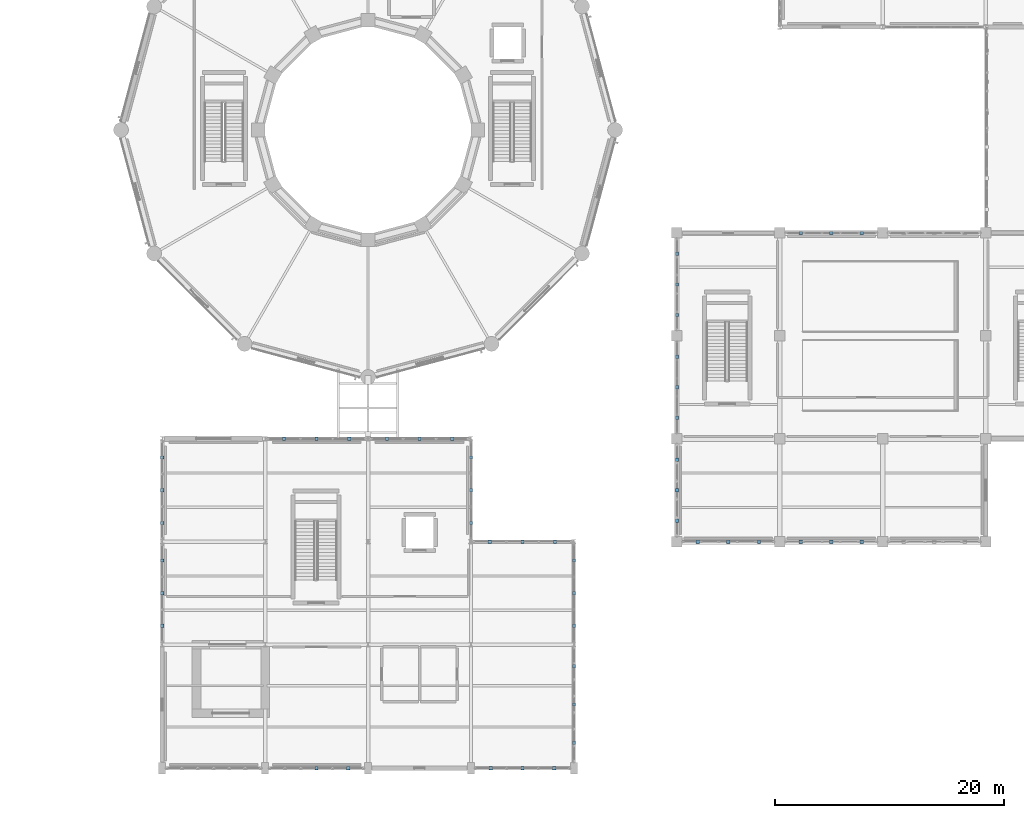
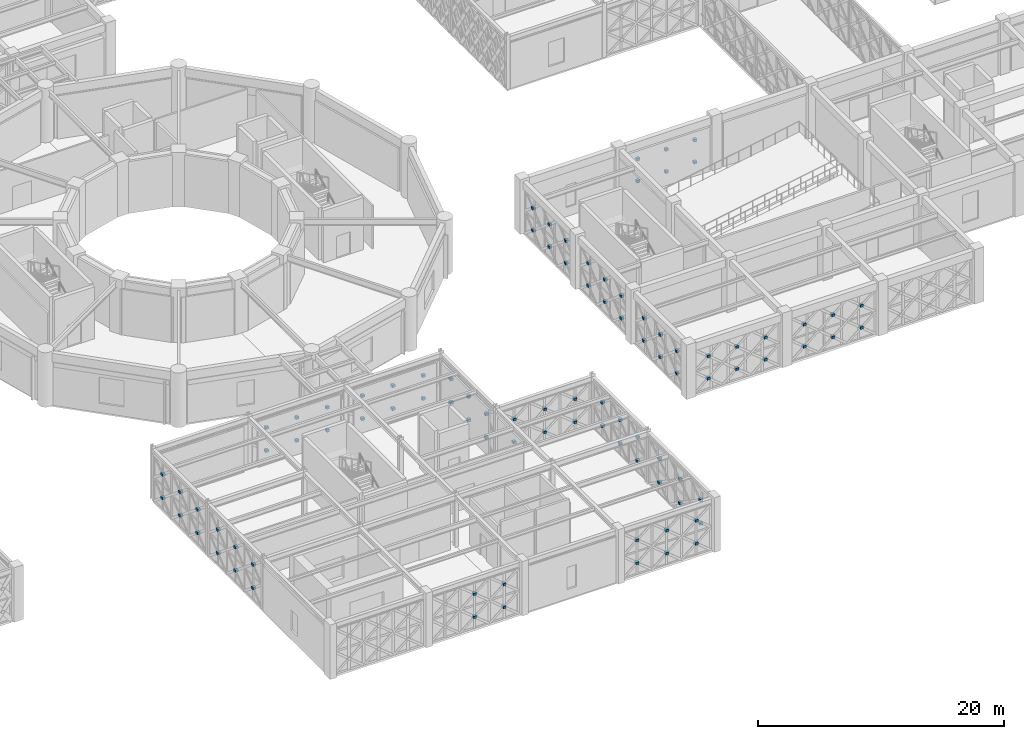
# One storey, part 150 of 166: 94 discrete accessories.
"""IFC4 building model written with IfcOpenShell, lengths in metres."""

from ifc_helpers import new_model, si_unit, direction, frame, origin, origin_2d, place, context, subcontext, project, spatial, rectangle, extrude, material, type_object, element, save


model = new_model("IFC4")

# Units and contexts
model_context = context("Model", 3, precision=1e-05, world=origin(), true_north=direction((0.0, 1.0)))
body_context = subcontext(model_context, "Body", "Model", "MODEL_VIEW")
ifc_project = project(units=[si_unit("LENGTHUNIT", "METRE"), si_unit("AREAUNIT", "SQUARE_METRE"), si_unit("VOLUMEUNIT", "CUBIC_METRE"), si_unit("PLANEANGLEUNIT", "RADIAN"), si_unit("MASSUNIT", "GRAM", prefix="KILO")], contexts=[model_context])

# Site, building, storey
site_placement = place(None, origin())
site = spatial("IfcSite", under=ifc_project, at=site_placement, CompositionType="ELEMENT")
building_placement = place(site_placement, origin())
building = spatial("IfcBuilding", under=site, at=building_placement, Name="Haizhuo Lancet Aquarium", CompositionType="ELEMENT")
storey_placement = place(building_placement, frame((0.0, 0.0, 5.39990234375)))
storey = spatial("IfcBuildingStorey", under=building, at=storey_placement, Name="L01", CompositionType="ELEMENT", Elevation=5.39990234375)

# Discrete accessories
ifc_material = material(Name="Steel S355", Category="steel")
discrete_accessory_type = type_object("IfcDiscreteAccessoryType", Name="ACC-END-CAP", PredefinedType="BRACKET", material=ifc_material)
for number, where, z_axis, x_axis, name in (
    (1, (37.830078125, -9.0, 0.97802734375), (0.0, 0.0, 1.0), (1.0, 0.0, 0.0), "L01 X-brace crossing gusset plate XN-CW-V3-L01-038-LB01B1"),
    (2, (37.830078125, -9.0, 3.171875), (0.0, 0.0, 1.0), (1.0, 0.0, 0.0), "L01 X-brace crossing gusset plate XN-CW-V3-L01-038-LB02B1"),
    (3, (40.5, -9.0, 0.97802734375), (0.0, 0.0, 1.0), (1.0, 0.0, 0.0), "L01 X-brace crossing gusset plate XN-CW-V3-L01-038-LB03B1"),
    (4, (40.5, -9.0, 3.171875), (0.0, 0.0, 1.0), (1.0, 0.0, 0.0), "L01 X-brace crossing gusset plate XN-CW-V3-L01-038-LB04B1"),
    (5, (43.169921875, -9.0, 0.97802734375), (0.0, 0.0, 1.0), (1.0, 0.0, 0.0), "L01 X-brace crossing gusset plate XN-CW-V3-L01-038-LB05B1"),
    (6, (43.169921875, -9.0, 3.171875), (0.0, 0.0, 1.0), (1.0, 0.0, 0.0), "L01 X-brace crossing gusset plate XN-CW-V3-L01-038-LB06B1"),
    (7, (43.169921875, -36.0, 0.97802734375), (0.0, 0.0, 1.0), (1.0, 0.0, 0.0), "L01 X-brace crossing gusset plate XN-CW-V3-L01-046-LB01B1"),
    (8, (43.169921875, -36.0, 3.171875), (0.0, 0.0, 1.0), (1.0, 0.0, 0.0), "L01 X-brace crossing gusset plate XN-CW-V3-L01-046-LB02B1"),
    (9, (40.5, -36.0, 0.97802734375), (0.0, 0.0, 1.0), (1.0, 0.0, 0.0), "L01 X-brace crossing gusset plate XN-CW-V3-L01-046-LB03B1"),
    (10, (40.5, -36.0, 3.171875), (0.0, 0.0, 1.0), (1.0, 0.0, 0.0), "L01 X-brace crossing gusset plate XN-CW-V3-L01-046-LB04B1"),
    (11, (37.830078125, -36.0, 0.97802734375), (0.0, 0.0, 1.0), (1.0, 0.0, 0.0), "L01 X-brace crossing gusset plate XN-CW-V3-L01-046-LB05B1"),
    (12, (37.830078125, -36.0, 3.171875), (0.0, 0.0, 1.0), (1.0, 0.0, 0.0), "L01 X-brace crossing gusset plate XN-CW-V3-L01-046-LB06B1"),
    (13, (34.169921875, -36.0, 0.97802734375), (0.0, 0.0, 1.0), (1.0, 0.0, 0.0), "L01 X-brace crossing gusset plate XN-CW-V3-L01-047-LB01B1"),
    (14, (34.169921875, -36.0, 3.171875), (0.0, 0.0, 1.0), (1.0, 0.0, 0.0), "L01 X-brace crossing gusset plate XN-CW-V3-L01-047-LB02B1"),
    (15, (31.5, -36.0, 0.97802734375), (0.0, 0.0, 1.0), (1.0, 0.0, 0.0), "L01 X-brace crossing gusset plate XN-CW-V3-L01-047-LB03B1"),
    (16, (31.5, -36.0, 3.171875), (0.0, 0.0, 1.0), (1.0, 0.0, 0.0), "L01 X-brace crossing gusset plate XN-CW-V3-L01-047-LB04B1"),
    (17, (28.830078125, -36.0, 0.97802734375), (0.0, 0.0, 1.0), (1.0, 0.0, 0.0), "L01 X-brace crossing gusset plate XN-CW-V3-L01-047-LB05B1"),
    (18, (28.830078125, -36.0, 3.171875), (0.0, 0.0, 1.0), (1.0, 0.0, 0.0), "L01 X-brace crossing gusset plate XN-CW-V3-L01-047-LB06B1"),
    (19, (27.0, -34.169921875, 0.990234375), (0.0, 0.0, 1.0), (1.0, 0.0, 0.0), "L01 X-brace crossing gusset plate XN-CW-V3-L01-048-LB01B1"),
    (20, (27.0, -34.169921875, 3.2099609375), (0.0, 0.0, 1.0), (1.0, 0.0, 0.0), "L01 X-brace crossing gusset plate XN-CW-V3-L01-048-LB02B1"),
    (21, (27.0, -31.5, 0.990234375), (0.0, 0.0, 1.0), (1.0, 0.0, 0.0), "L01 X-brace crossing gusset plate XN-CW-V3-L01-048-LB03B1"),
    (22, (27.0, -31.5, 3.2099609375), (0.0, 0.0, 1.0), (1.0, 0.0, 0.0), "L01 X-brace crossing gusset plate XN-CW-V3-L01-048-LB04B1"),
    (23, (27.0, -28.830078125, 0.990234375), (0.0, 0.0, 1.0), (1.0, 0.0, 0.0), "L01 X-brace crossing gusset plate XN-CW-V3-L01-048-LB05B1"),
    (24, (27.0, -28.830078125, 3.2099609375), (0.0, 0.0, 1.0), (1.0, 0.0, 0.0), "L01 X-brace crossing gusset plate XN-CW-V3-L01-048-LB06B1"),
    (25, (27.0, -25.169921875, 0.990234375), (0.0, 0.0, 1.0), (1.0, 0.0, 0.0), "L01 X-brace crossing gusset plate XN-CW-V3-L01-049-LB01B1"),
    (26, (27.0, -25.169921875, 3.2099609375), (0.0, 0.0, 1.0), (1.0, 0.0, 0.0), "L01 X-brace crossing gusset plate XN-CW-V3-L01-049-LB02B1"),
    (27, (27.0, -22.5, 0.990234375), (0.0, 0.0, 1.0), (1.0, 0.0, 0.0), "L01 X-brace crossing gusset plate XN-CW-V3-L01-049-LB03B1"),
    (28, (27.0, -22.5, 3.2099609375), (0.0, 0.0, 1.0), (1.0, 0.0, 0.0), "L01 X-brace crossing gusset plate XN-CW-V3-L01-049-LB04B1"),
    (29, (27.0, -19.830078125, 0.990234375), (0.0, 0.0, 1.0), (1.0, 0.0, 0.0), "L01 X-brace crossing gusset plate XN-CW-V3-L01-049-LB05B1"),
    (30, (27.0, -19.830078125, 3.2099609375), (0.0, 0.0, 1.0), (1.0, 0.0, 0.0), "L01 X-brace crossing gusset plate XN-CW-V3-L01-049-LB06B1"),
    (31, (27.0, -16.169921875, 0.990234375), (0.0, 0.0, 1.0), (1.0, 0.0, 0.0), "L01 X-brace crossing gusset plate XN-CW-V3-L01-050-LB01B1"),
    (32, (27.0, -16.169921875, 3.2099609375), (0.0, 0.0, 1.0), (1.0, 0.0, 0.0), "L01 X-brace crossing gusset plate XN-CW-V3-L01-050-LB02B1"),
    (33, (27.0, -13.5, 0.990234375), (0.0, 0.0, 1.0), (1.0, 0.0, 0.0), "L01 X-brace crossing gusset plate XN-CW-V3-L01-050-LB03B1"),
    (34, (27.0, -13.5, 3.2099609375), (0.0, 0.0, 1.0), (1.0, 0.0, 0.0), "L01 X-brace crossing gusset plate XN-CW-V3-L01-050-LB04B1"),
    (35, (27.0, -10.830078125, 0.990234375), (0.0, 0.0, 1.0), (1.0, 0.0, 0.0), "L01 X-brace crossing gusset plate XN-CW-V3-L01-050-LB05B1"),
    (36, (27.0, -10.830078125, 3.2099609375), (0.0, 0.0, 1.0), (1.0, 0.0, 0.0), "L01 X-brace crossing gusset plate XN-CW-V3-L01-050-LB06B1"),
    (37, (-7.35302734375, -27.0, 1.01806640625), (0.0, 0.0, 1.0), (1.0, 0.0, 0.0), "L01 X-brace crossing gusset plate XN-CW-V4-L01-091-LB01B1"),
    (38, (-7.35302734375, -27.0, 3.2939453125), (0.0, 0.0, 1.0), (1.0, 0.0, 0.0), "L01 X-brace crossing gusset plate XN-CW-V4-L01-091-LB02B1"),
    (39, (-4.5, -27.0, 1.01806640625), (0.0, 0.0, 1.0), (1.0, 0.0, 0.0), "L01 X-brace crossing gusset plate XN-CW-V4-L01-091-LB03B1"),
    (40, (-4.5, -27.0, 3.2939453125), (0.0, 0.0, 1.0), (1.0, 0.0, 0.0), "L01 X-brace crossing gusset plate XN-CW-V4-L01-091-LB04B1"),
    (41, (-1.64697265625, -27.0, 1.01806640625), (0.0, 0.0, 1.0), (1.0, 0.0, 0.0), "L01 X-brace crossing gusset plate XN-CW-V4-L01-091-LB05B1"),
    (42, (-1.64697265625, -27.0, 3.2939453125), (0.0, 0.0, 1.0), (1.0, 0.0, 0.0), "L01 X-brace crossing gusset plate XN-CW-V4-L01-091-LB06B1"),
    (43, (1.64697265625, -27.0, 1.01806640625), (0.0, 0.0, 1.0), (1.0, 0.0, 0.0), "L01 X-brace crossing gusset plate XN-CW-V4-L01-092-LB01B1"),
    (44, (1.64697265625, -27.0, 3.2939453125), (0.0, 0.0, 1.0), (1.0, 0.0, 0.0), "L01 X-brace crossing gusset plate XN-CW-V4-L01-092-LB02B1"),
    (45, (4.5, -27.0, 1.01806640625), (0.0, 0.0, 1.0), (1.0, 0.0, 0.0), "L01 X-brace crossing gusset plate XN-CW-V4-L01-092-LB03B1"),
    (46, (4.5, -27.0, 3.2939453125), (0.0, 0.0, 1.0), (1.0, 0.0, 0.0), "L01 X-brace crossing gusset plate XN-CW-V4-L01-092-LB04B1"),
    (47, (7.35302734375, -27.0, 1.01806640625), (0.0, 0.0, 1.0), (1.0, 0.0, 0.0), "L01 X-brace crossing gusset plate XN-CW-V4-L01-092-LB05B1"),
    (48, (7.35302734375, -27.0, 3.2939453125), (0.0, 0.0, 1.0), (1.0, 0.0, 0.0), "L01 X-brace crossing gusset plate XN-CW-V4-L01-092-LB06B1"),
    (49, (9.0, -28.64599609375, 1.04296875), (0.0, 0.0, 1.0), (1.0, 0.0, 0.0), "L01 X-brace crossing gusset plate XN-CW-V4-L01-093-LB01B1"),
    (50, (9.0, -28.64599609375, 3.369140625), (0.0, 0.0, 1.0), (1.0, 0.0, 0.0), "L01 X-brace crossing gusset plate XN-CW-V4-L01-093-LB02B1"),
    (51, (9.0, -31.5, 1.04296875), (0.0, 0.0, 1.0), (1.0, 0.0, 0.0), "L01 X-brace crossing gusset plate XN-CW-V4-L01-093-LB03B1"),
    (52, (9.0, -31.5, 3.369140625), (0.0, 0.0, 1.0), (1.0, 0.0, 0.0), "L01 X-brace crossing gusset plate XN-CW-V4-L01-093-LB04B1"),
    (53, (9.0, -34.35302734375, 1.04296875), (0.0, 0.0, 1.0), (1.0, 0.0, 0.0), "L01 X-brace crossing gusset plate XN-CW-V4-L01-093-LB05B1"),
    (54, (9.0, -34.35302734375, 3.369140625), (0.0, 0.0, 1.0), (1.0, 0.0, 0.0), "L01 X-brace crossing gusset plate XN-CW-V4-L01-093-LB06B1"),
    (55, (10.64599609375, -36.0, 1.01806640625), (0.0, 0.0, 1.0), (1.0, 0.0, 0.0), "L01 X-brace crossing gusset plate XN-CW-V4-L01-094-LB01B1"),
    (56, (10.64599609375, -36.0, 3.2939453125), (0.0, 0.0, 1.0), (1.0, 0.0, 0.0), "L01 X-brace crossing gusset plate XN-CW-V4-L01-094-LB02B1"),
    (57, (13.5, -36.0, 1.01806640625), (0.0, 0.0, 1.0), (1.0, 0.0, 0.0), "L01 X-brace crossing gusset plate XN-CW-V4-L01-094-LB03B1"),
    (58, (13.5, -36.0, 3.2939453125), (0.0, 0.0, 1.0), (1.0, 0.0, 0.0), "L01 X-brace crossing gusset plate XN-CW-V4-L01-094-LB04B1"),
    (59, (16.35400390625, -36.0, 1.01806640625), (0.0, 0.0, 1.0), (1.0, 0.0, 0.0), "L01 X-brace crossing gusset plate XN-CW-V4-L01-094-LB05B1"),
    (60, (16.35400390625, -36.0, 3.2939453125), (0.0, 0.0, 1.0), (1.0, 0.0, 0.0), "L01 X-brace crossing gusset plate XN-CW-V4-L01-094-LB06B1"),
    (61, (18.0, -37.64697265625, 1.04296875), (0.0, 0.0, 1.0), (1.0, 0.0, 0.0), "L01 X-brace crossing gusset plate XN-CW-V4-L01-095-LB01B1"),
    (62, (18.0, -37.64697265625, 3.369140625), (0.0, 0.0, 1.0), (1.0, 0.0, 0.0), "L01 X-brace crossing gusset plate XN-CW-V4-L01-095-LB02B1"),
    (63, (18.0, -40.5, 1.04296875), (0.0, 0.0, 1.0), (1.0, 0.0, 0.0), "L01 X-brace crossing gusset plate XN-CW-V4-L01-095-LB03B1"),
    (64, (18.0, -40.5, 3.369140625), (0.0, 0.0, 1.0), (1.0, 0.0, 0.0), "L01 X-brace crossing gusset plate XN-CW-V4-L01-095-LB04B1"),
    (65, (18.0, -43.35302734375, 1.04296875), (0.0, 0.0, 1.0), (1.0, 0.0, 0.0), "L01 X-brace crossing gusset plate XN-CW-V4-L01-095-LB05B1"),
    (66, (18.0, -43.35302734375, 3.369140625), (0.0, 0.0, 1.0), (1.0, 0.0, 0.0), "L01 X-brace crossing gusset plate XN-CW-V4-L01-095-LB06B1"),
    (67, (18.0, -46.89208984375, 1.04296875), (0.0, 0.0, 1.0), (1.0, 0.0, 0.0), "L01 X-brace crossing gusset plate XN-CW-V4-L01-096-LB01B1"),
    (68, (18.0, -46.89208984375, 3.369140625), (0.0, 0.0, 1.0), (1.0, 0.0, 0.0), "L01 X-brace crossing gusset plate XN-CW-V4-L01-096-LB02B1"),
    (69, (18.0, -50.237060546875, 1.04296875), (0.0, 0.0, 1.0), (1.0, 0.0, 0.0), "L01 X-brace crossing gusset plate XN-CW-V4-L01-096-LB03B1"),
    (70, (18.0, -50.237060546875, 3.369140625), (0.0, 0.0, 1.0), (1.0, 0.0, 0.0), "L01 X-brace crossing gusset plate XN-CW-V4-L01-096-LB04B1"),
    (71, (18.0, -53.58203125, 1.04296875), (0.0, 0.0, 1.0), (1.0, 0.0, 0.0), "L01 X-brace crossing gusset plate XN-CW-V4-L01-096-LB05B1"),
    (72, (18.0, -53.58203125, 3.369140625), (0.0, 0.0, 1.0), (1.0, 0.0, 0.0), "L01 X-brace crossing gusset plate XN-CW-V4-L01-096-LB06B1"),
    (73, (16.27001953125, -55.800048828125, 1.01806640625), (0.0, 0.0, 1.0), (1.0, 0.0, 0.0), "L01 X-brace crossing gusset plate XN-CW-V4-L01-097-LB01B1"),
    (74, (16.27001953125, -55.800048828125, 3.2939453125), (0.0, 0.0, 1.0), (1.0, 0.0, 0.0), "L01 X-brace crossing gusset plate XN-CW-V4-L01-097-LB02B1"),
    (75, (13.5, -55.800048828125, 1.01806640625), (0.0, 0.0, 1.0), (1.0, 0.0, 0.0), "L01 X-brace crossing gusset plate XN-CW-V4-L01-097-LB03B1"),
    (76, (13.5, -55.800048828125, 3.2939453125), (0.0, 0.0, 1.0), (1.0, 0.0, 0.0), "L01 X-brace crossing gusset plate XN-CW-V4-L01-097-LB04B1"),
    (77, (10.72998046875, -55.800048828125, 1.01806640625), (0.0, 0.0, 1.0), (1.0, 0.0, 0.0), "L01 X-brace crossing gusset plate XN-CW-V4-L01-097-LB05B1"),
    (78, (10.72998046875, -55.800048828125, 3.2939453125), (0.0, 0.0, 1.0), (1.0, 0.0, 0.0), "L01 X-brace crossing gusset plate XN-CW-V4-L01-097-LB06B1"),
    (79, (-1.72998046875, -55.800048828125, 1.01806640625), (0.0, 0.0, 1.0), (1.0, 0.0, 0.0), "L01 X-brace crossing gusset plate XN-CW-V4-L01-098-LB01B1"),
    (80, (-1.72998046875, -55.800048828125, 3.2939453125), (0.0, 0.0, 1.0), (1.0, 0.0, 0.0), "L01 X-brace crossing gusset plate XN-CW-V4-L01-098-LB02B1"),
    (81, (-4.5, -55.800048828125, 1.01806640625), (0.0, 0.0, 1.0), (1.0, 0.0, 0.0), "L01 X-brace crossing gusset plate XN-CW-V4-L01-098-LB03B1"),
    (82, (-4.5, -55.800048828125, 3.2939453125), (0.0, 0.0, 1.0), (1.0, 0.0, 0.0), "L01 X-brace crossing gusset plate XN-CW-V4-L01-098-LB04B1"),
    (83, (-18.0, -43.35302734375, 1.04296875), (0.0, 0.0, 1.0), (1.0, 0.0, 0.0), "L01 X-brace crossing gusset plate XN-CW-V4-L01-100-LB01B1"),
    (84, (-18.0, -43.35302734375, 3.369140625), (0.0, 0.0, 1.0), (1.0, 0.0, 0.0), "L01 X-brace crossing gusset plate XN-CW-V4-L01-100-LB02B1"),
    (85, (-18.0, -40.5, 1.04296875), (0.0, 0.0, 1.0), (1.0, 0.0, 0.0), "L01 X-brace crossing gusset plate XN-CW-V4-L01-100-LB03B1"),
    (86, (-18.0, -40.5, 3.369140625), (0.0, 0.0, 1.0), (1.0, 0.0, 0.0), "L01 X-brace crossing gusset plate XN-CW-V4-L01-100-LB04B1"),
    (87, (-18.0, -37.64697265625, 1.04296875), (0.0, 0.0, 1.0), (1.0, 0.0, 0.0), "L01 X-brace crossing gusset plate XN-CW-V4-L01-100-LB05B1"),
    (88, (-18.0, -37.64697265625, 3.369140625), (0.0, 0.0, 1.0), (1.0, 0.0, 0.0), "L01 X-brace crossing gusset plate XN-CW-V4-L01-100-LB06B1"),
    (89, (-18.0, -34.35302734375, 1.04296875), (0.0, 0.0, 1.0), (1.0, 0.0, 0.0), "L01 X-brace crossing gusset plate XN-CW-V4-L01-101-LB01B1"),
    (90, (-18.0, -34.35302734375, 3.369140625), (0.0, 0.0, 1.0), (1.0, 0.0, 0.0), "L01 X-brace crossing gusset plate XN-CW-V4-L01-101-LB02B1"),
    (91, (-18.0, -31.5, 1.04296875), (0.0, 0.0, 1.0), (1.0, 0.0, 0.0), "L01 X-brace crossing gusset plate XN-CW-V4-L01-101-LB03B1"),
    (92, (-18.0, -31.5, 3.369140625), (0.0, 0.0, 1.0), (1.0, 0.0, 0.0), "L01 X-brace crossing gusset plate XN-CW-V4-L01-101-LB04B1"),
    (93, (-18.0, -28.64599609375, 1.04296875), (0.0, 0.0, 1.0), (1.0, 0.0, 0.0), "L01 X-brace crossing gusset plate XN-CW-V4-L01-101-LB05B1"),
    (94, (-18.0, -28.64599609375, 3.369140625), (0.0, 0.0, 1.0), (1.0, 0.0, 0.0), "L01 X-brace crossing gusset plate XN-CW-V4-L01-101-LB06B1"),
):
    element("IfcDiscreteAccessory", number, at=place(storey_placement, frame(where, z_axis=z_axis, x_axis=x_axis)), inside=storey, type_object=discrete_accessory_type, material=ifc_material, Name=name, PredefinedType="BRACKET", context=body_context, shape_type="SweptSolid", body=[
        extrude(rectangle(XDim=0.280029296875, YDim=0.280029296875, at=origin_2d()), origin(), (0.0, 0.0, 1.0), 0.239990234375),
    ])

save(model, "model.ifc")
